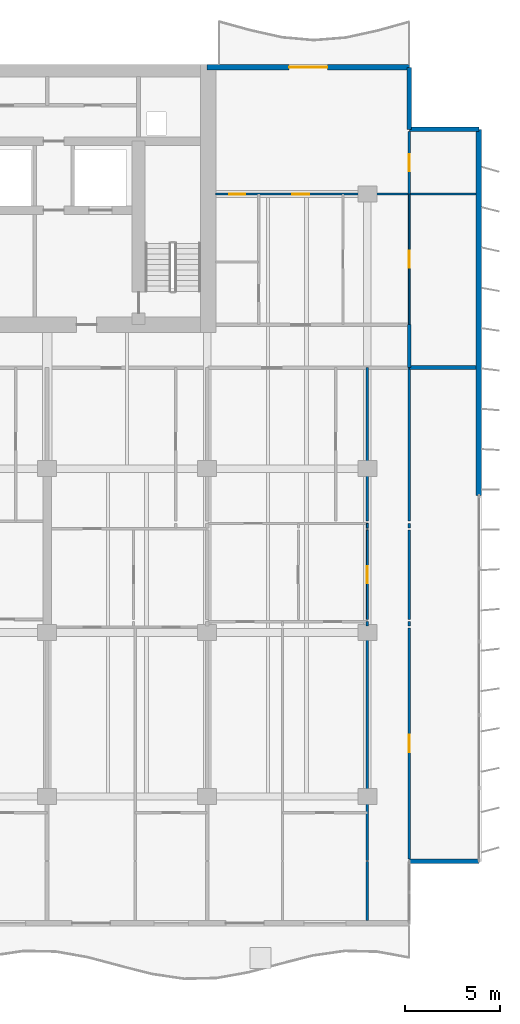
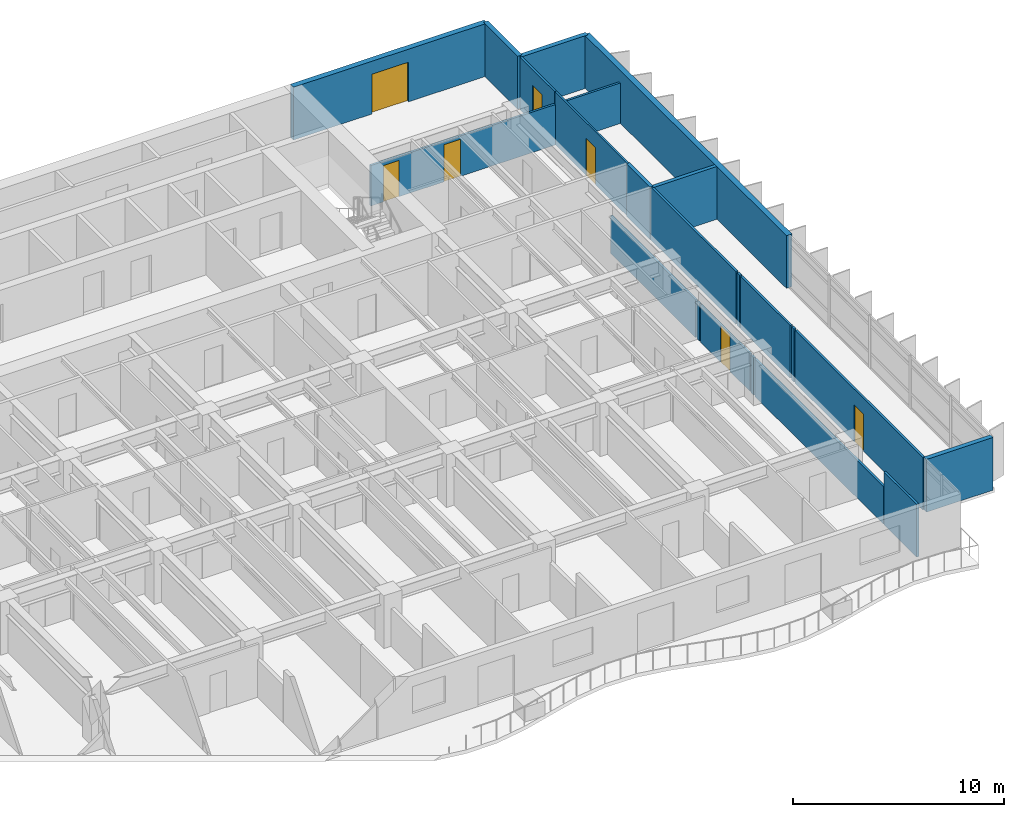
# One storey, part 13 of 18: 21 walls, 7 doors, 7 openings.
"""IFC4 building model written with IfcOpenShell, lengths in metres."""

from ifc_helpers import new_model, si_unit, direction, frame, frame_2d, origin, place, context, subcontext, project, spatial, rectangle, extrude, material, layer, layer_set, type_object, element, fill, save


model = new_model("IFC4")

# Units and contexts
model_context = context("Model", 3, precision=1e-05, world=origin(), true_north=direction((0.0, 1.0)))
body_context = subcontext(model_context, "Body", "Model", "MODEL_VIEW")
ifc_project = project(units=[si_unit("LENGTHUNIT", "METRE"), si_unit("AREAUNIT", "SQUARE_METRE"), si_unit("VOLUMEUNIT", "CUBIC_METRE"), si_unit("PLANEANGLEUNIT", "RADIAN"), si_unit("MASSUNIT", "GRAM", prefix="KILO")], contexts=[model_context])

# Site, building, storey
site_placement = place(None, origin())
site = spatial("IfcSite", under=ifc_project, at=site_placement, CompositionType="ELEMENT")
building_placement = place(site_placement, origin())
building = spatial("IfcBuilding", under=site, at=building_placement, Name="Caelmar Bay Residences", CompositionType="ELEMENT")
storey_placement = place(building_placement, frame((0.0, 0.0, 129.0)))
storey = spatial("IfcBuildingStorey", under=building, at=storey_placement, Name="L35", CompositionType="ELEMENT", Elevation=129.0)

# Walls
ifc_material_1 = material(Name="Double-stud acoustic fire-rated gypsum partition 180 mm")
ifc_layer_1 = layer(ifc_material_1, 0.179931640625)
ifc_layer_set_1 = layer_set([ifc_layer_1], Name="Double-stud acoustic fire-rated gypsum partition 180 mm")
wall_type_1 = type_object("IfcWallType", Name="W-COR-200", PredefinedType="PARTITIONING", material=ifc_layer_set_1)
wall_1_placement = place(storey_placement, frame((70.10009765625, 34.705078125, 0.0), z_axis=(0.0, 0.0, 1.0), x_axis=(0.0, 1.0, 0.0)))
element("IfcWall", 1, at=wall_1_placement, inside=storey, type_object=wall_type_1, Name="L35 Partition Wall V118", PredefinedType="PARTITIONING", context=body_context, shape_type="SweptSolid", body=[
    extrude(rectangle(XDim=2.244873046875, YDim=0.179931640625, at=frame_2d((1.12255859375, 0.0))), origin(), (0.0, 0.0, 1.0), 3.050048828125),
])
ifc_material_2 = material(Name="Precast concrete f'c 40 MPa (6,000 psi)", Category="concrete")
ifc_layer_2 = layer(ifc_material_2, 0.25)
ifc_layer_set_2 = layer_set([ifc_layer_2], Name="Precast concrete f'c 40 MPa (6,000 psi)")
wall_type_2 = type_object("IfcWallType", Name="W-EXT-250", PredefinedType="ELEMENTEDWALL", material=ifc_layer_set_2)
wall_2_placement = place(storey_placement, frame((70.10009765625, 8.800048828125, 0.0), z_axis=(0.0, 0.0, 1.0), x_axis=(1.0, 0.0, 0.0)))
element("IfcWall", 2, at=wall_2_placement, inside=storey, type_object=wall_type_2, Name="L35 SE Notch Return Wall", PredefinedType="ELEMENTEDWALL", context=body_context, shape_type="SweptSolid", body=[
    extrude(rectangle(XDim=3.64990234375, YDim=0.25, at=frame_2d((1.824951171875, 0.0))), origin(), (0.0, 0.0, 1.0), 3.050048828125),
])
wall_3_placement = place(storey_placement, frame((70.10009765625, 50.449951171875, 0.0), z_axis=(0.0, 0.0, 1.0), x_axis=(0.0, -1.0, 0.0)))
element("IfcWall", 3, at=wall_3_placement, inside=storey, type_object=wall_type_2, Name="L35 NNE-V Notch Wall", PredefinedType="ELEMENTEDWALL", context=body_context, shape_type="SweptSolid", body=[
    extrude(rectangle(XDim=3.25, YDim=0.25, at=frame_2d((1.625, 0.0))), origin(), (0.0, 0.0, 1.0), 3.050048828125),
])
wall_4_placement = place(storey_placement, frame((70.10009765625, 47.199951171875, 0.0), z_axis=(0.0, 0.0, 1.0), x_axis=(1.0, 0.0, 0.0)))
element("IfcWall", 4, at=wall_4_placement, inside=storey, type_object=wall_type_2, Name="L35 NNE-H Notch Wall", PredefinedType="ELEMENTEDWALL", context=body_context, shape_type="SweptSolid", body=[
    extrude(rectangle(XDim=3.64990234375, YDim=0.25, at=frame_2d((1.824951171875, 0.0))), origin(), (0.0, 0.0, 1.0), 3.050048828125),
])
ifc_layer_3 = layer(ifc_material_2, 0.300048828125)
ifc_layer_set_3 = layer_set([ifc_layer_3], Name="Precast concrete f'c 40 MPa (6,000 psi)")
wall_type_3 = type_object("IfcWallType", Name="W-EXT-300", PredefinedType="STANDARD", material=ifc_layer_set_3)
wall_5_placement = place(storey_placement, frame((73.75, 47.199951171875, 0.0), z_axis=(0.0, 0.0, 1.0), x_axis=(0.0, -1.0, 0.0)))
element("IfcWall", 5, at=wall_5_placement, inside=storey, type_object=wall_type_3, Name="L35 East Rear Exterior Wall", PredefinedType="STANDARD", context=body_context, shape_type="SweptSolid", body=[
    extrude(rectangle(XDim=19.199951171875, YDim=0.300048828125, at=frame_2d((9.60009765625, 0.0))), origin(), (0.0, 0.0, 1.0), 3.050048828125),
])

# Wall, opening, door
wall_6_placement = place(storey_placement, frame((59.5, 50.449951171875, 0.0), z_axis=(0.0, 0.0, 1.0), x_axis=(1.0, 0.0, 0.0)))
wall_6 = element("IfcWall", 6, at=wall_6_placement, inside=storey, type_object=wall_type_3, Name="L35 North-East Wing Exterior Wall", PredefinedType="STANDARD", context=body_context, shape_type="SweptSolid", body=[
    extrude(rectangle(XDim=10.60009765625, YDim=0.300048828125, at=frame_2d((5.300048828125, 0.0))), origin(), (0.0, 0.0, 1.0), 3.050048828125),
])
opening_1_placement = place(wall_6_placement, frame((4.300048828125, 0.0, 0.0)))
opening_1 = element("IfcOpeningElement", 7, at=opening_1_placement, cuts=wall_6, Name="Opening L35-BDNE", PredefinedType="OPENING", context=body_context, shape_type="SweptSolid", body=[
    extrude(rectangle(XDim=2.0, YDim=2.300048828125, at=frame_2d((1.0, 1.14990234375))), frame((0.0, 0.159912109375, 0.0), z_axis=(0.0, -1.0, 0.0), x_axis=(1.0, 0.0, 0.0)), (0.0, 0.0, 1.0), 0.320068359375),
])
ifc_material_3 = material(Name="Anodised bronze thermally broken sliding glass door", Category="glass")
ifc_layer_4 = layer(ifc_material_3, 0.050048828125)
ifc_layer_set_4 = layer_set([ifc_layer_4], Name="Anodised bronze thermally broken sliding glass door")
door_type_1 = type_object("IfcDoorType", Name="D-BAL-2000", OperationType="DOUBLE_DOOR_SLIDING", PredefinedType="DOOR", material=ifc_layer_set_4)
door_1_placement = place(opening_1_placement, origin())
door_1 = element("IfcDoor", 8, at=door_1_placement, inside=storey, type_object=door_type_1, Name="L35 North-East Balcony Door", OperationType="DOUBLE_DOOR_SLIDING", OverallHeight=2.300048828125, OverallWidth=2.0, PredefinedType="DOOR", context=body_context, shape_type="SweptSolid", body=[
    extrude(rectangle(XDim=2.0, YDim=2.300048828125, at=frame_2d((1.0, 1.14990234375))), frame((0.0, 0.02490234375, 0.0), z_axis=(0.0, -1.0, 0.0), x_axis=(1.0, 0.0, 0.0)), (0.0, 0.0, 1.0), 0.050048828125),
])
fill(opening_1, door_1)

ifc_material_4 = material(Name="Anodised bronze framed acoustic sliding study partition 100 mm")
ifc_layer_5 = layer(ifc_material_4, 0.10009765625)
ifc_layer_set_5 = layer_set([ifc_layer_5], Name="Anodised bronze framed acoustic sliding study partition 100 mm")
wall_type_4 = type_object("IfcWallType", Name="W-MOV-100", PredefinedType="MOVABLE", material=ifc_layer_set_5)
wall_7_placement = place(storey_placement, frame((67.89990234375, 21.489990234375, 0.0), z_axis=(0.0, 0.0, 1.0), x_axis=(0.0, 1.0, 0.0)))
wall_7 = element("IfcWall", 9, at=wall_7_placement, inside=storey, type_object=wall_type_4, Name="L35 Partition Wall V110", PredefinedType="MOVABLE", context=body_context, shape_type="SweptSolid", body=[
    extrude(rectangle(XDim=4.68994140625, YDim=0.10009765625, at=frame_2d((2.344970703125, 0.0))), origin(), (0.0, 0.0, 1.0), 2.174072265625),
])
opening_2_placement = place(wall_7_placement, frame((1.89501953125, 0.0, 0.0)))
opening_2 = element("IfcOpeningElement", 10, at=opening_2_placement, cuts=wall_7, Name="Opening D-L35-172", PredefinedType="OPENING", context=body_context, shape_type="SweptSolid", body=[
    extrude(rectangle(XDim=0.89990234375, YDim=2.1240234375, at=frame_2d((0.449951171875, 1.06201171875))), frame((0.0, 0.06005859375, 0.0), z_axis=(0.0, -1.0, 0.0), x_axis=(1.0, 0.0, 0.0)), (0.0, 0.0, 1.0), 0.1201171875),
])
ifc_material_5 = material(Name="Solid walnut timber interior door leaf and frame", Category="wood")
ifc_layer_6 = layer(ifc_material_5, 0.050048828125)
ifc_layer_set_6 = layer_set([ifc_layer_6], Name="Solid walnut timber interior door leaf and frame")
door_type_2 = type_object("IfcDoorType", Name="D-ROOM-900", OperationType="NOTDEFINED", PredefinedType="DOOR", material=ifc_layer_set_6)
door_2_placement = place(opening_2_placement, origin())
door_2 = element("IfcDoor", 11, at=door_2_placement, inside=storey, type_object=door_type_2, Name="L35 Residence 07 East Apartment Hall Door", OperationType="SINGLE_SWING_LEFT", OverallHeight=2.1240234375, OverallWidth=0.89990234375, PredefinedType="DOOR", context=body_context, shape_type="SweptSolid", body=[
    extrude(rectangle(XDim=0.89990234375, YDim=2.1240234375, at=frame_2d((0.449951171875, 1.06201171875))), frame((0.0, 0.02490234375, 0.0), z_axis=(0.0, -1.0, 0.0), x_axis=(1.0, 0.0, 0.0)), (0.0, 0.0, 1.0), 0.050048828125),
])
fill(opening_2, door_2)

# Wall
wall_8_placement = place(storey_placement, frame((67.89990234375, 26.280029296875, 0.0), z_axis=(0.0, 0.0, 1.0), x_axis=(0.0, 1.0, 0.0)))
element("IfcWall", 12, at=wall_8_placement, inside=storey, type_object=wall_type_4, Name="L35 Partition Wall V111", PredefinedType="MOVABLE", context=body_context, shape_type="SweptSolid", body=[
    extrude(rectangle(XDim=0.239990234375, YDim=0.10009765625, at=frame_2d((0.1201171875, 0.0))), origin(), (0.0, 0.0, 1.0), 2.174072265625),
])

# Wall, opening, door
wall_9_placement = place(storey_placement, frame((70.10009765625, 36.955078125, 0.0), z_axis=(0.0, 0.0, 1.0), x_axis=(0.0, 1.0, 0.0)))
wall_9 = element("IfcWall", 13, at=wall_9_placement, inside=storey, type_object=wall_type_4, Name="L35 Partition Wall V119", PredefinedType="MOVABLE", context=body_context, shape_type="SweptSolid", body=[
    extrude(rectangle(XDim=6.844970703125, YDim=0.10009765625, at=frame_2d((3.42236328125, 0.0))), origin(), (0.0, 0.0, 1.0), 3.050048828125),
])
opening_3_placement = place(wall_9_placement, frame((2.972412109375, 0.0, 0.0)))
opening_3 = element("IfcOpeningElement", 14, at=opening_3_placement, cuts=wall_9, Name="Opening D-L35-187", PredefinedType="OPENING", context=body_context, shape_type="SweptSolid", body=[
    extrude(rectangle(XDim=0.89990234375, YDim=2.14990234375, at=frame_2d((0.449951171875, 1.074951171875))), frame((0.0, 0.06005859375, 0.0), z_axis=(0.0, -1.0, 0.0), x_axis=(1.0, 0.0, 0.0)), (0.0, 0.0, 1.0), 0.1201171875),
])
door_3_placement = place(opening_3_placement, origin())
door_3 = element("IfcDoor", 15, at=door_3_placement, inside=storey, type_object=door_type_2, Name="L35 Residence EA Sun Study Door", OperationType="SINGLE_SWING_RIGHT", OverallHeight=2.14990234375, OverallWidth=0.89990234375, PredefinedType="DOOR", context=body_context, shape_type="SweptSolid", body=[
    extrude(rectangle(XDim=0.89990234375, YDim=2.14990234375, at=frame_2d((0.449951171875, 1.074951171875))), frame((0.0, 0.02490234375, 0.0), z_axis=(0.0, -1.0, 0.0), x_axis=(1.0, 0.0, 0.0)), (0.0, 0.0, 1.0), 0.050048828125),
])
fill(opening_3, door_3)

# Walls
ifc_material_6 = material(Name="Acoustic metal-stud gypsum partition 120 mm")
ifc_layer_7 = layer(ifc_material_6, 0.1201171875)
ifc_layer_set_7 = layer_set([ifc_layer_7], Name="Acoustic metal-stud gypsum partition 120 mm")
wall_type_5 = type_object("IfcWallType", Name="W-PRT-120", PredefinedType="PARTITIONING", material=ifc_layer_set_7)
wall_10_placement = place(storey_placement, frame((67.89990234375, 5.695068359375, 0.0), z_axis=(0.0, 0.0, 1.0), x_axis=(0.0, 1.0, 0.0)))
element("IfcWall", 16, at=wall_10_placement, inside=storey, type_object=wall_type_5, Name="L35 Partition Wall V107", PredefinedType="PARTITIONING", context=body_context, shape_type="SweptSolid", body=[
    extrude(rectangle(XDim=3.10498046875, YDim=0.1201171875, at=frame_2d((1.552490234375, 0.0))), origin(), (0.0, 0.0, 1.0), 3.050048828125),
])
wall_11_placement = place(storey_placement, frame((67.89990234375, 8.840087890625, 0.0), z_axis=(0.0, 0.0, 1.0), x_axis=(0.0, 1.0, 0.0)))
element("IfcWall", 17, at=wall_11_placement, inside=storey, type_object=wall_type_5, Name="L35 Partition Wall V108", PredefinedType="PARTITIONING", context=body_context, shape_type="SweptSolid", body=[
    extrude(rectangle(XDim=12.18994140625, YDim=0.1201171875, at=frame_2d((6.094970703125, 0.0))), origin(), (0.0, 0.0, 1.0), 2.174072265625),
])
wall_12_placement = place(storey_placement, frame((67.89990234375, 21.1298828125, 0.0), z_axis=(0.0, 0.0, 1.0), x_axis=(0.0, 1.0, 0.0)))
element("IfcWall", 18, at=wall_12_placement, inside=storey, type_object=wall_type_5, Name="L35 Partition Wall V109", PredefinedType="PARTITIONING", context=body_context, shape_type="SweptSolid", body=[
    extrude(rectangle(XDim=0.240234375, YDim=0.1201171875, at=frame_2d((0.1201171875, 0.0))), origin(), (0.0, 0.0, 1.0), 2.174072265625),
])
wall_13_placement = place(storey_placement, frame((67.89990234375, 26.639892578125, 0.0), z_axis=(0.0, 0.0, 1.0), x_axis=(0.0, 1.0, 0.0)))
element("IfcWall", 19, at=wall_13_placement, inside=storey, type_object=wall_type_5, Name="L35 Partition Wall V112", PredefinedType="PARTITIONING", context=body_context, shape_type="SweptSolid", body=[
    extrude(rectangle(XDim=8.06005859375, YDim=0.1201171875, at=frame_2d((4.030029296875, 0.0))), origin(), (0.0, 0.0, 1.0), 2.174072265625),
])

# Wall, opening, door
wall_14_placement = place(storey_placement, frame((70.10009765625, 8.919921875, 0.0), z_axis=(0.0, 0.0, 1.0), x_axis=(0.0, 1.0, 0.0)))
wall_14 = element("IfcWall", 20, at=wall_14_placement, inside=storey, type_object=wall_type_5, Name="L35 Partition Wall V113", PredefinedType="PARTITIONING", context=body_context, shape_type="SweptSolid", body=[
    extrude(rectangle(XDim=12.110107421875, YDim=0.1201171875, at=frame_2d((6.05517578125, 0.0))), origin(), (0.0, 0.0, 1.0), 3.050048828125),
])
opening_4_placement = place(wall_14_placement, frame((5.60498046875, 0.0, 0.0)))
opening_4 = element("IfcOpeningElement", 21, at=opening_4_placement, cuts=wall_14, Name="Opening D-L35-174", PredefinedType="OPENING", context=body_context, shape_type="SweptSolid", body=[
    extrude(rectangle(XDim=0.89990234375, YDim=2.14990234375, at=frame_2d((0.449951171875, 1.074951171875))), frame((0.0, 0.070068359375, 0.0), z_axis=(0.0, -1.0, 0.0), x_axis=(1.0, 0.0, 0.0)), (0.0, 0.0, 1.0), 0.14013671875),
])
door_4_placement = place(opening_4_placement, origin())
door_4 = element("IfcDoor", 22, at=door_4_placement, inside=storey, type_object=door_type_2, Name="L35 Residence 07 Penthouse East Salon Door", OperationType="SINGLE_SWING_LEFT", OverallHeight=2.14990234375, OverallWidth=0.89990234375, PredefinedType="DOOR", context=body_context, shape_type="SweptSolid", body=[
    extrude(rectangle(XDim=0.89990234375, YDim=2.14990234375, at=frame_2d((0.449951171875, 1.074951171875))), frame((0.0, 0.02490234375, 0.0), z_axis=(0.0, -1.0, 0.0), x_axis=(1.0, 0.0, 0.0)), (0.0, 0.0, 1.0), 0.050048828125),
])
fill(opening_4, door_4)

# Walls
wall_15_placement = place(storey_placement, frame((70.10009765625, 21.1298828125, 0.0), z_axis=(0.0, 0.0, 1.0), x_axis=(0.0, 1.0, 0.0)))
element("IfcWall", 23, at=wall_15_placement, inside=storey, type_object=wall_type_5, Name="L35 Partition Wall V114", PredefinedType="PARTITIONING", context=body_context, shape_type="SweptSolid", body=[
    extrude(rectangle(XDim=0.240234375, YDim=0.1201171875, at=frame_2d((0.1201171875, 0.0))), origin(), (0.0, 0.0, 1.0), 3.050048828125),
])
wall_16_placement = place(storey_placement, frame((70.10009765625, 21.489990234375, 0.0), z_axis=(0.0, 0.0, 1.0), x_axis=(0.0, 1.0, 0.0)))
element("IfcWall", 24, at=wall_16_placement, inside=storey, type_object=wall_type_5, Name="L35 Partition Wall V115", PredefinedType="PARTITIONING", context=body_context, shape_type="SweptSolid", body=[
    extrude(rectangle(XDim=4.68994140625, YDim=0.1201171875, at=frame_2d((2.344970703125, 0.0))), origin(), (0.0, 0.0, 1.0), 3.050048828125),
])
wall_17_placement = place(storey_placement, frame((70.10009765625, 26.280029296875, 0.0), z_axis=(0.0, 0.0, 1.0), x_axis=(0.0, 1.0, 0.0)))
element("IfcWall", 25, at=wall_17_placement, inside=storey, type_object=wall_type_5, Name="L35 Partition Wall V116", PredefinedType="PARTITIONING", context=body_context, shape_type="SweptSolid", body=[
    extrude(rectangle(XDim=0.239990234375, YDim=0.1201171875, at=frame_2d((0.1201171875, 0.0))), origin(), (0.0, 0.0, 1.0), 3.050048828125),
])
wall_18_placement = place(storey_placement, frame((70.10009765625, 26.639892578125, 0.0), z_axis=(0.0, 0.0, 1.0), x_axis=(0.0, 1.0, 0.0)))
element("IfcWall", 26, at=wall_18_placement, inside=storey, type_object=wall_type_5, Name="L35 Partition Wall V117", PredefinedType="PARTITIONING", context=body_context, shape_type="SweptSolid", body=[
    extrude(rectangle(XDim=8.06005859375, YDim=0.1201171875, at=frame_2d((4.030029296875, 0.0))), origin(), (0.0, 0.0, 1.0), 3.050048828125),
])

# Wall, opening, door
wall_19_placement = place(storey_placement, frame((70.10009765625, 43.804931640625, 0.0), z_axis=(0.0, 0.0, 1.0), x_axis=(0.0, 1.0, 0.0)))
wall_19 = element("IfcWall", 27, at=wall_19_placement, inside=storey, type_object=wall_type_5, Name="L35 Partition Wall V120", PredefinedType="PARTITIONING", context=body_context, shape_type="SweptSolid", body=[
    extrude(rectangle(XDim=3.275146484375, YDim=0.1201171875, at=frame_2d((1.6376953125, 0.0))), origin(), (0.0, 0.0, 1.0), 3.050048828125),
])
opening_5_placement = place(wall_19_placement, frame((1.1875, 0.0, 0.0)))
opening_5 = element("IfcOpeningElement", 28, at=opening_5_placement, cuts=wall_19, Name="Opening D-L35-188", PredefinedType="OPENING", context=body_context, shape_type="SweptSolid", body=[
    extrude(rectangle(XDim=0.89990234375, YDim=2.14990234375, at=frame_2d((0.449951171875, 1.074951171875))), frame((0.0, 0.070068359375, 0.0), z_axis=(0.0, -1.0, 0.0), x_axis=(1.0, 0.0, 0.0)), (0.0, 0.0, 1.0), 0.14013671875),
])
door_5_placement = place(opening_5_placement, origin())
door_5 = element("IfcDoor", 29, at=door_5_placement, inside=storey, type_object=door_type_2, Name="L35 Residence EA North Sitting Alcove Door", OperationType="SINGLE_SWING_LEFT", OverallHeight=2.14990234375, OverallWidth=0.89990234375, PredefinedType="DOOR", context=body_context, shape_type="SweptSolid", body=[
    extrude(rectangle(XDim=0.89990234375, YDim=2.14990234375, at=frame_2d((0.449951171875, 1.074951171875))), frame((0.0, 0.02490234375, 0.0), z_axis=(0.0, -1.0, 0.0), x_axis=(1.0, 0.0, 0.0)), (0.0, 0.0, 1.0), 0.050048828125),
])
fill(opening_5, door_5)

# Wall, openings, doors
wall_20_placement = place(storey_placement, frame((59.945068359375, 43.800048828125, 0.0), z_axis=(0.0, 0.0, 1.0), x_axis=(1.0, 0.0, 0.0)))
wall_20 = element("IfcWall", 30, at=wall_20_placement, inside=storey, type_object=wall_type_5, Name="L35 Partition Wall H152", PredefinedType="PARTITIONING", context=body_context, shape_type="SweptSolid", body=[
    extrude(rectangle(XDim=13.659912109375, YDim=0.1201171875, at=frame_2d((6.830078125, 0.0))), origin(), (0.0, 0.0, 1.0), 2.339111328125),
])
opening_6_placement = place(wall_20_placement, frame((4.01708984375, 0.0, 0.0)))
opening_6 = element("IfcOpeningElement", 31, at=opening_6_placement, cuts=wall_20, Name="Opening D-L35-184", PredefinedType="OPENING", context=body_context, shape_type="SweptSolid", body=[
    extrude(rectangle(XDim=0.89990234375, YDim=2.14990234375, at=frame_2d((0.449951171875, 1.074951171875))), frame((0.0, 0.070068359375, 0.0), z_axis=(0.0, -1.0, 0.0), x_axis=(1.0, 0.0, 0.0)), (0.0, 0.0, 1.0), 0.14013671875),
])
opening_7_placement = place(wall_20_placement, frame((0.702392578125, 0.0, 0.0)))
opening_7 = element("IfcOpeningElement", 32, at=opening_7_placement, cuts=wall_20, Name="Opening D-L35-186", PredefinedType="OPENING", context=body_context, shape_type="SweptSolid", body=[
    extrude(rectangle(XDim=0.85009765625, YDim=2.10009765625, at=frame_2d((0.425048828125, 1.050048828125))), frame((0.0, 0.070068359375, 0.0), z_axis=(0.0, -1.0, 0.0), x_axis=(1.0, 0.0, 0.0)), (0.0, 0.0, 1.0), 0.14013671875),
])
ifc_layer_8 = layer(ifc_material_5, 0.050048828125)
ifc_layer_set_8 = layer_set([ifc_layer_8], Name="Solid walnut timber interior door leaf and frame")
door_type_3 = type_object("IfcDoorType", Name="D-BATH-850", OperationType="NOTDEFINED", PredefinedType="DOOR", material=ifc_layer_set_8)
door_6_placement = place(opening_7_placement, origin())
door_6 = element("IfcDoor", 33, at=door_6_placement, inside=storey, type_object=door_type_3, Name="L35 Residence EA Bathroom Door", OperationType="SINGLE_SWING_LEFT", OverallHeight=2.10009765625, OverallWidth=0.85009765625, PredefinedType="DOOR", context=body_context, shape_type="SweptSolid", body=[
    extrude(rectangle(XDim=0.85009765625, YDim=2.10009765625, at=frame_2d((0.425048828125, 1.050048828125))), frame((0.0, 0.02490234375, 0.0), z_axis=(0.0, -1.0, 0.0), x_axis=(1.0, 0.0, 0.0)), (0.0, 0.0, 1.0), 0.050048828125),
])
fill(opening_7, door_6)
door_7_placement = place(opening_6_placement, origin())
door_7 = element("IfcDoor", 34, at=door_7_placement, inside=storey, type_object=door_type_2, Name="L35 Residence EA Studio Living and Sleeping Room Door", OperationType="SINGLE_SWING_LEFT", OverallHeight=2.14990234375, OverallWidth=0.89990234375, PredefinedType="DOOR", context=body_context, shape_type="SweptSolid", body=[
    extrude(rectangle(XDim=0.89990234375, YDim=2.14990234375, at=frame_2d((0.449951171875, 1.074951171875))), frame((0.0, 0.02490234375, 0.0), z_axis=(0.0, -1.0, 0.0), x_axis=(1.0, 0.0, 0.0)), (0.0, 0.0, 1.0), 0.050048828125),
])
fill(opening_6, door_7)

# Wall
ifc_material_7 = material(Name="Acoustic twin-stud fire-rated inter-tenancy partition 200 mm")
ifc_layer_9 = layer(ifc_material_7, 0.199951171875)
ifc_layer_set_9 = layer_set([ifc_layer_9], Name="Acoustic twin-stud fire-rated inter-tenancy partition 200 mm")
wall_type_6 = type_object("IfcWallType", Name="W-PTY-200", PredefinedType="PARTITIONING", material=ifc_layer_set_9)
wall_21_placement = place(storey_placement, frame((70.10498046875, 34.699951171875, 0.0), z_axis=(0.0, 0.0, 1.0), x_axis=(1.0, 0.0, 0.0)))
element("IfcWall", 35, at=wall_21_placement, inside=storey, type_object=wall_type_6, Name="L35 Partition Wall H146", PredefinedType="PARTITIONING", context=body_context, shape_type="SweptSolid", body=[
    extrude(rectangle(XDim=3.5, YDim=0.199951171875, at=frame_2d((1.75, 0.0))), origin(), (0.0, 0.0, 1.0), 3.050048828125),
])

save(model, "model.ifc")
